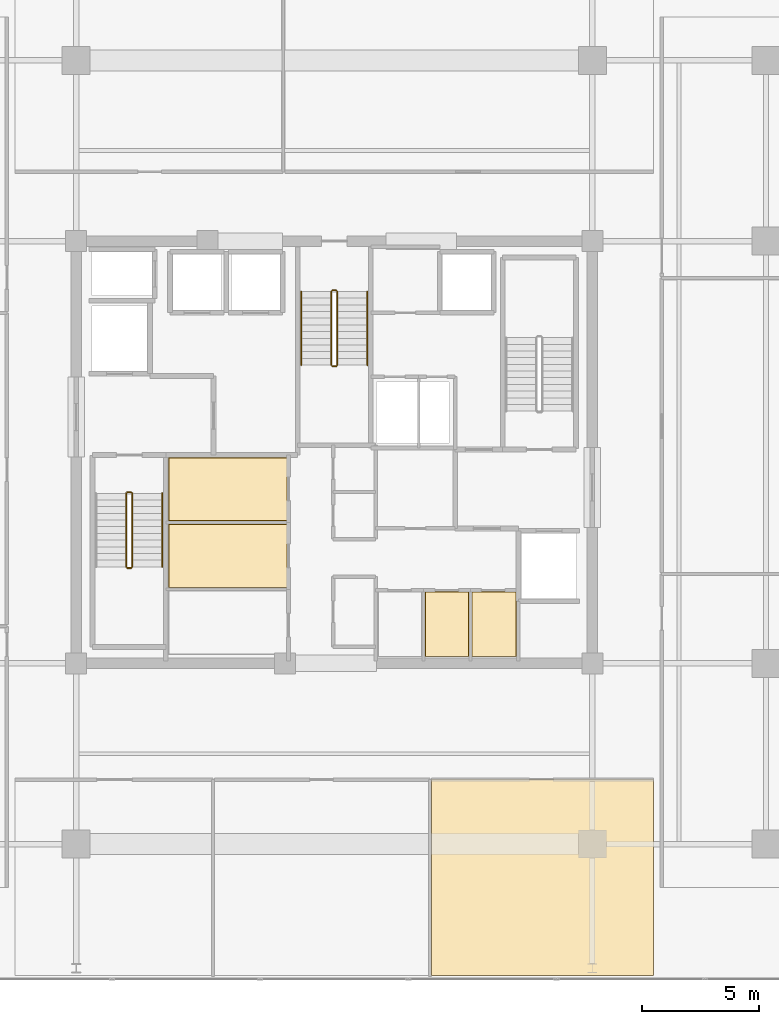
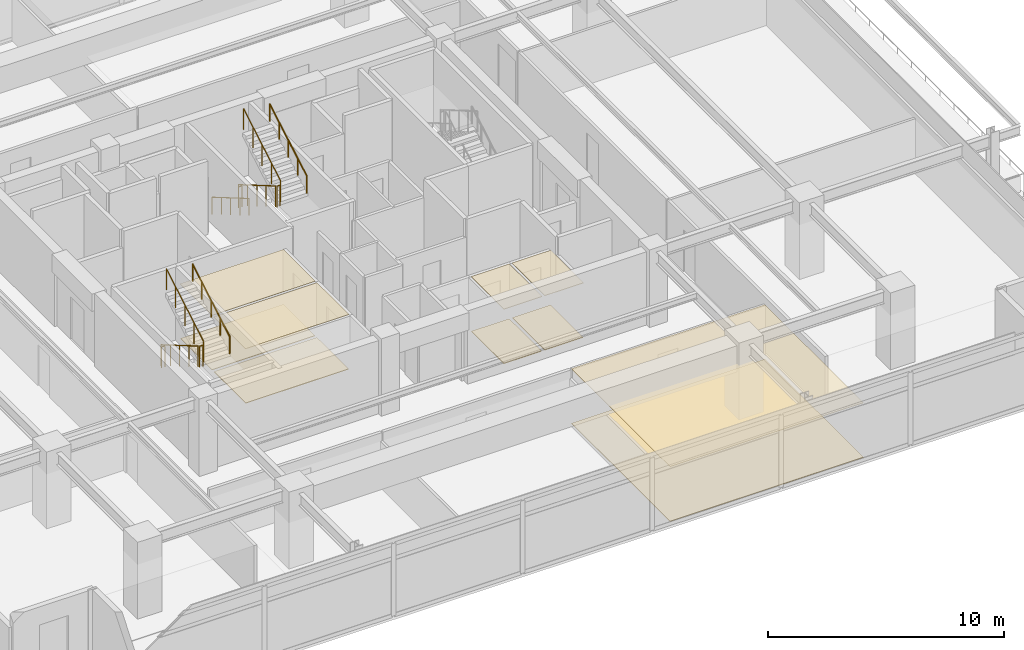
# One storey, part 22 of 24: 11 railings, 10 coverings.
"""IFC4 building model written with IfcOpenShell, lengths in metres."""

from ifc_helpers import new_model, si_unit, direction, frame, origin, origin_2d, place, context, subcontext, project, spatial, polyline, circle, outline, extrude, material, layer, layer_set, type_object, element, save


model = new_model("IFC4")

# Units and contexts
model_context = context("Model", 3, precision=1e-05, world=origin(), true_north=direction((0.0, 1.0)))
body_context = subcontext(model_context, "Body", "Model", "MODEL_VIEW")
ifc_project = project(units=[si_unit("LENGTHUNIT", "METRE"), si_unit("AREAUNIT", "SQUARE_METRE"), si_unit("VOLUMEUNIT", "CUBIC_METRE"), si_unit("PLANEANGLEUNIT", "RADIAN"), si_unit("MASSUNIT", "GRAM", prefix="KILO")], contexts=[model_context])

# Site, building, storey
site_placement = place(None, origin())
site = spatial("IfcSite", under=ifc_project, at=site_placement, CompositionType="ELEMENT")
building_placement = place(site_placement, origin())
building = spatial("IfcBuilding", under=site, at=building_placement, Name="Kovane Verandah Tower", CompositionType="ELEMENT")
storey_placement = place(building_placement, frame((0.0, 0.0, 271.199951171875)))
storey = spatial("IfcBuildingStorey", under=building, at=storey_placement, Name="L63", CompositionType="ELEMENT", Elevation=271.199951171875)

# Coverings
ifc_material_1 = material(Name="Perforated Acoustic Mineral-Fibre Ceiling Tile", Category="gypsum")
ifc_layer_1 = layer(ifc_material_1, 0.02490234375)
ifc_layer_set_1 = layer_set([ifc_layer_1], Name="Perforated Acoustic Mineral-Fibre Ceiling Tile")
covering_type_1 = type_object("IfcCoveringType", Name="CV-CEIL-25", PredefinedType="CEILING", material=ifc_layer_set_1)
covering_1_placement = place(storey_placement, frame((0.0, 0.0, 2.824951171875)))
element("IfcCovering", 1, at=covering_1_placement, inside=storey, type_object=covering_type_1, Name="L63 First Aid and Wellness Room Acoustic Ceiling", PredefinedType="CEILING", context=body_context, shape_type="SweptSolid", body=[
    extrude(outline(polyline([(32.93505859375, 21.72509765625), (37.9951171875, 21.72509765625), (37.9951171875, 24.43505859375), (32.93505859375, 24.43505859375), (32.93505859375, 21.72509765625)])), origin(), (0.0, 0.0, 1.0), 0.025146484375),
])
covering_2_placement = place(storey_placement, frame((0.0, 0.0, 2.824951171875)))
element("IfcCovering", 2, at=covering_2_placement, inside=storey, type_object=covering_type_1, Name="L63 Tea and Copy Hub Acoustic Ceiling", PredefinedType="CEILING", context=body_context, shape_type="SweptSolid", body=[
    extrude(outline(polyline([(32.93505859375, 24.56494140625), (37.9951171875, 24.56494140625), (37.9951171875, 27.264892578125), (32.93505859375, 27.264892578125), (32.93505859375, 24.56494140625)])), origin(), (0.0, 0.0, 1.0), 0.025146484375),
])
covering_3_placement = place(storey_placement, frame((0.0, 0.0, 2.824951171875)))
element("IfcCovering", 3, at=covering_3_placement, inside=storey, type_object=covering_type_1, Name="L63 First Aid Room Acoustic Ceiling", PredefinedType="CEILING", context=body_context, shape_type="SweptSolid", body=[
    extrude(outline(polyline([(43.864990234375, 18.784912109375), (45.735107421875, 18.784912109375), (45.735107421875, 21.56494140625), (43.864990234375, 21.56494140625), (43.864990234375, 18.784912109375)])), origin(), (0.0, 0.0, 1.0), 0.025146484375),
])
covering_4_placement = place(storey_placement, frame((0.0, 0.0, 2.824951171875)))
element("IfcCovering", 4, at=covering_4_placement, inside=storey, type_object=covering_type_1, Name="L63 Quiet Wellness Room Acoustic Ceiling", PredefinedType="CEILING", context=body_context, shape_type="SweptSolid", body=[
    extrude(outline(polyline([(45.864990234375, 18.784912109375), (47.764892578125, 18.784912109375), (47.764892578125, 21.56494140625), (45.864990234375, 21.56494140625), (45.864990234375, 18.784912109375)])), origin(), (0.0, 0.0, 1.0), 0.025146484375),
])
covering_5_placement = place(storey_placement, frame((0.0, 0.0, 2.824951171875)))
element("IfcCovering", 5, at=covering_5_placement, inside=storey, type_object=covering_type_1, Name="L63 Focus Studio S3 Acoustic Ceiling", PredefinedType="CEILING", context=body_context, shape_type="SweptSolid", body=[
    extrude(outline(polyline([(44.14990234375, 5.200439453125), (53.60009765625, 5.200439453125), (53.60009765625, 13.550048828125), (44.14990234375, 13.550048828125), (44.14990234375, 5.200439453125)])), origin(), (0.0, 0.0, 1.0), 0.025146484375),
])
ifc_material_2 = material(Name="Polished Terrazzo and Raised-Access Carpet Tile Finish", Category="concrete")
ifc_layer_2 = layer(ifc_material_2, 0.030029296875)
ifc_layer_set_2 = layer_set([ifc_layer_2], Name="Polished Terrazzo and Raised-Access Carpet Tile Finish")
covering_type_2 = type_object("IfcCoveringType", Name="CV-FLOR-30", PredefinedType="FLOORING", material=ifc_layer_set_2)
covering_6_placement = place(storey_placement, origin())
element("IfcCovering", 6, at=covering_6_placement, inside=storey, type_object=covering_type_2, Name="L63 First Aid and Wellness Room Floor Finish", PredefinedType="FLOORING", context=body_context, shape_type="SweptSolid", body=[
    extrude(outline(polyline([(32.949951171875, 21.739990234375), (37.97998046875, 21.739990234375), (37.97998046875, 24.419921875), (32.949951171875, 24.419921875), (32.949951171875, 21.739990234375)])), origin(), (0.0, 0.0, 1.0), 0.030029296875),
])
covering_7_placement = place(storey_placement, origin())
element("IfcCovering", 7, at=covering_7_placement, inside=storey, type_object=covering_type_2, Name="L63 Tea and Copy Hub Floor Finish", PredefinedType="FLOORING", context=body_context, shape_type="SweptSolid", body=[
    extrude(outline(polyline([(32.949951171875, 24.580078125), (37.97998046875, 24.580078125), (37.97998046875, 27.25), (32.949951171875, 27.25), (32.949951171875, 24.580078125)])), origin(), (0.0, 0.0, 1.0), 0.030029296875),
])
covering_8_placement = place(storey_placement, origin())
element("IfcCovering", 8, at=covering_8_placement, inside=storey, type_object=covering_type_2, Name="L63 First Aid Room Floor Finish", PredefinedType="FLOORING", context=body_context, shape_type="SweptSolid", body=[
    extrude(outline(polyline([(43.8798828125, 18.800048828125), (45.719970703125, 18.800048828125), (45.719970703125, 21.550048828125), (43.8798828125, 21.550048828125), (43.8798828125, 18.800048828125)])), origin(), (0.0, 0.0, 1.0), 0.030029296875),
])
covering_9_placement = place(storey_placement, origin())
element("IfcCovering", 9, at=covering_9_placement, inside=storey, type_object=covering_type_2, Name="L63 Quiet Wellness Room Floor Finish", PredefinedType="FLOORING", context=body_context, shape_type="SweptSolid", body=[
    extrude(outline(polyline([(45.8798828125, 18.800048828125), (47.75, 18.800048828125), (47.75, 21.550048828125), (45.8798828125, 21.550048828125), (45.8798828125, 18.800048828125)])), origin(), (0.0, 0.0, 1.0), 0.030029296875),
])
covering_10_placement = place(storey_placement, origin())
element("IfcCovering", 10, at=covering_10_placement, inside=storey, type_object=covering_type_2, Name="L63 Focus Studio S3 Floor Finish", PredefinedType="FLOORING", context=body_context, shape_type="SweptSolid", body=[
    extrude(outline(polyline([(44.14990234375, 5.200439453125), (53.60009765625, 5.200439453125), (53.60009765625, 13.550048828125), (44.14990234375, 13.550048828125), (44.14990234375, 5.200439453125)])), origin(), (0.0, 0.0, 1.0), 0.030029296875),
])

# Railings
ifc_material_3 = material(Name="Brushed Stainless Steel Handrail", Category="steel")
railing_type_1 = type_object("IfcRailingType", Name="RL-HAND-920", PredefinedType="HANDRAIL", material=ifc_material_3)
railing_1_placement = place(storey_placement, frame((32.669921875, 22.614990234375, 2.166748046875)))
element("IfcRailing", 11, at=railing_1_placement, inside=storey, type_object=railing_type_1, Name="L63 ST-01 stair handrail 2", PredefinedType="HANDRAIL", context=body_context, shape_type="SweptSolid", body=[
    extrude(circle(Radius=0.02392578125, at=origin_2d()), frame((0.0, 0.0, 0.8759765625), z_axis=(0.0, 0.863239559939, 0.504794475164), x_axis=(-1.0, 0.0, 0.0)), (0.0, 0.0, 1.0), 3.631591796875),
    extrude(circle(Radius=0.02099609375, at=origin_2d()), origin(), (0.0, 0.0, 1.0), 0.851806640625),
    extrude(circle(Radius=0.02099609375, at=origin_2d()), frame((0.0, 0.78369140625, 0.458251953125)), (0.0, 0.0, 1.0), 0.851806640625),
    extrude(circle(Radius=0.02099609375, at=origin_2d()), frame((0.0, 1.5673828125, 0.91650390625)), (0.0, 0.0, 1.0), 0.851806640625),
    extrude(circle(Radius=0.02099609375, at=origin_2d()), frame((0.0, 2.351318359375, 1.375)), (0.0, 0.0, 1.0), 0.851806640625),
    extrude(circle(Radius=0.02099609375, at=origin_2d()), frame((0.0, 3.135009765625, 1.833251953125)), (0.0, 0.0, 1.0), 0.851806640625),
])
railing_2_placement = place(storey_placement, frame((38.590087890625, 34.35009765625, 0.166748046875)))
element("IfcRailing", 12, at=railing_2_placement, inside=storey, type_object=railing_type_1, Name="L63 ST-03 stair handrail 1", PredefinedType="HANDRAIL", context=body_context, shape_type="SweptSolid", body=[
    extrude(circle(Radius=0.02392578125, at=origin_2d()), frame((0.0, 0.0, 0.8759765625), z_axis=(0.0, -0.863239559939, 0.504794475164), x_axis=(1.0, 0.0, 0.0)), (0.0, 0.0, 1.0), 3.631591796875),
    extrude(circle(Radius=0.02099609375, at=origin_2d()), origin(), (0.0, 0.0, 1.0), 0.851806640625),
    extrude(circle(Radius=0.02099609375, at=origin_2d()), frame((0.0, -0.78369140625, 0.458251953125)), (0.0, 0.0, 1.0), 0.851806640625),
    extrude(circle(Radius=0.02099609375, at=origin_2d()), frame((0.0, -1.5673828125, 0.91650390625)), (0.0, 0.0, 1.0), 0.851806640625),
    extrude(circle(Radius=0.02099609375, at=origin_2d()), frame((0.0, -2.351318359375, 1.375)), (0.0, 0.0, 1.0), 0.851806640625),
    extrude(circle(Radius=0.02099609375, at=origin_2d()), frame((0.0, -3.135009765625, 1.833251953125)), (0.0, 0.0, 1.0), 0.851806640625),
])
railing_3_placement = place(storey_placement, frame((41.409912109375, 31.215087890625, 2.166748046875)))
element("IfcRailing", 13, at=railing_3_placement, inside=storey, type_object=railing_type_1, Name="L63 ST-03 stair handrail 2", PredefinedType="HANDRAIL", context=body_context, shape_type="SweptSolid", body=[
    extrude(circle(Radius=0.02392578125, at=origin_2d()), frame((0.0, 0.0, 0.8759765625), z_axis=(0.0, 0.863239559939, 0.504794475164), x_axis=(-1.0, 0.0, 0.0)), (0.0, 0.0, 1.0), 3.631591796875),
    extrude(circle(Radius=0.02099609375, at=origin_2d()), origin(), (0.0, 0.0, 1.0), 0.851806640625),
    extrude(circle(Radius=0.02099609375, at=origin_2d()), frame((0.0, 0.78369140625, 0.458251953125)), (0.0, 0.0, 1.0), 0.851806640625),
    extrude(circle(Radius=0.02099609375, at=origin_2d()), frame((0.0, 1.5673828125, 0.91650390625)), (0.0, 0.0, 1.0), 0.851806640625),
    extrude(circle(Radius=0.02099609375, at=origin_2d()), frame((0.0, 2.351318359375, 1.375)), (0.0, 0.0, 1.0), 0.851806640625),
    extrude(circle(Radius=0.02099609375, at=origin_2d()), frame((0.0, 3.135009765625, 1.833251953125)), (0.0, 0.0, 1.0), 0.851806640625),
])
ifc_material_4 = material(Name="Painted Steel Stairwell Guardrail", Category="steel")
railing_type_2 = type_object("IfcRailingType", Name="RL-STGUARD-1120", PredefinedType="GUARDRAIL", material=ifc_material_4)
railing_4_placement = place(storey_placement, frame((31.1298828125, 25.75, 0.166748046875)))
element("IfcRailing", 14, at=railing_4_placement, inside=storey, type_object=railing_type_2, Name="L63 ST-01 stair guard 1", PredefinedType="GUARDRAIL", context=body_context, shape_type="SweptSolid", body=[
    extrude(circle(Radius=0.02392578125, at=origin_2d()), frame((0.0, 0.0, 1.076171875), z_axis=(0.0, -0.863239559939, 0.504794475164), x_axis=(1.0, 0.0, 0.0)), (0.0, 0.0, 1.0), 3.631591796875),
    extrude(circle(Radius=0.02099609375, at=origin_2d()), origin(), (0.0, 0.0, 1.0), 1.052001953125),
    extrude(circle(Radius=0.02099609375, at=origin_2d()), frame((0.0, -0.78369140625, 0.458251953125)), (0.0, 0.0, 1.0), 1.052001953125),
    extrude(circle(Radius=0.02099609375, at=origin_2d()), frame((0.0, -1.5673828125, 0.91650390625)), (0.0, 0.0, 1.0), 1.052001953125),
    extrude(circle(Radius=0.02099609375, at=origin_2d()), frame((0.0, -2.351318359375, 1.375)), (0.0, 0.0, 1.0), 1.052001953125),
    extrude(circle(Radius=0.02099609375, at=origin_2d()), frame((0.0, -3.135009765625, 1.833251953125)), (0.0, 0.0, 1.0), 1.052001953125),
])
railing_5_placement = place(storey_placement, frame((31.179931640625, 22.56494140625, 2.0)))
element("IfcRailing", 15, at=railing_5_placement, inside=storey, type_object=railing_type_2, Name="L63 ST-01 stair guard 2", PredefinedType="GUARDRAIL", context=body_context, shape_type="SweptSolid", body=[
    extrude(circle(Radius=0.02392578125, at=origin_2d()), frame((0.0, 0.0, 1.076171875), z_axis=(1.0, 0.0, 0.0), x_axis=(0.0, 1.0, 0.0)), (0.0, 0.0, 1.0), 0.16015625),
    extrude(circle(Radius=0.02099609375, at=origin_2d()), origin(), (0.0, 0.0, 1.0), 1.052001953125),
    extrude(circle(Radius=0.02099609375, at=origin_2d()), frame((0.16015625, 0.0, 0.0)), (0.0, 0.0, 1.0), 1.052001953125),
])
railing_6_placement = place(storey_placement, frame((31.389892578125, 22.614990234375, 2.166748046875)))
element("IfcRailing", 16, at=railing_6_placement, inside=storey, type_object=railing_type_2, Name="L63 ST-01 stair guard 3", PredefinedType="GUARDRAIL", context=body_context, shape_type="SweptSolid", body=[
    extrude(circle(Radius=0.02392578125, at=origin_2d()), frame((0.0, 0.0, 1.076171875), z_axis=(0.0, 0.863239559939, 0.504794475164), x_axis=(-1.0, 0.0, 0.0)), (0.0, 0.0, 1.0), 3.631591796875),
    extrude(circle(Radius=0.02099609375, at=origin_2d()), origin(), (0.0, 0.0, 1.0), 1.052001953125),
    extrude(circle(Radius=0.02099609375, at=origin_2d()), frame((0.0, 0.78369140625, 0.458251953125)), (0.0, 0.0, 1.0), 1.052001953125),
    extrude(circle(Radius=0.02099609375, at=origin_2d()), frame((0.0, 1.5673828125, 0.91650390625)), (0.0, 0.0, 1.0), 1.052001953125),
    extrude(circle(Radius=0.02099609375, at=origin_2d()), frame((0.0, 2.351318359375, 1.375)), (0.0, 0.0, 1.0), 1.052001953125),
    extrude(circle(Radius=0.02099609375, at=origin_2d()), frame((0.0, 3.135009765625, 1.833251953125)), (0.0, 0.0, 1.0), 1.052001953125),
])
railing_7_placement = place(storey_placement, frame((31.179931640625, 25.800048828125, 0.0)))
element("IfcRailing", 17, at=railing_7_placement, inside=storey, type_object=railing_type_2, Name="L63 ST-01 stair guard 4", PredefinedType="GUARDRAIL", context=body_context, shape_type="SweptSolid", body=[
    extrude(circle(Radius=0.02392578125, at=origin_2d()), frame((0.0, 0.0, 1.076171875), z_axis=(1.0, 0.0, 0.0), x_axis=(0.0, 1.0, 0.0)), (0.0, 0.0, 1.0), 0.16015625),
    extrude(circle(Radius=0.02099609375, at=origin_2d()), origin(), (0.0, 0.0, 1.0), 1.052001953125),
    extrude(circle(Radius=0.02099609375, at=origin_2d()), frame((0.16015625, 0.0, 0.0)), (0.0, 0.0, 1.0), 1.052001953125),
])
railing_8_placement = place(storey_placement, frame((39.8701171875, 34.35009765625, 0.166748046875)))
element("IfcRailing", 18, at=railing_8_placement, inside=storey, type_object=railing_type_2, Name="L63 ST-03 stair guard 1", PredefinedType="GUARDRAIL", context=body_context, shape_type="SweptSolid", body=[
    extrude(circle(Radius=0.02392578125, at=origin_2d()), frame((0.0, 0.0, 1.076171875), z_axis=(0.0, -0.863239559939, 0.504794475164), x_axis=(1.0, 0.0, 0.0)), (0.0, 0.0, 1.0), 3.631591796875),
    extrude(circle(Radius=0.02099609375, at=origin_2d()), origin(), (0.0, 0.0, 1.0), 1.052001953125),
    extrude(circle(Radius=0.02099609375, at=origin_2d()), frame((0.0, -0.78369140625, 0.458251953125)), (0.0, 0.0, 1.0), 1.052001953125),
    extrude(circle(Radius=0.02099609375, at=origin_2d()), frame((0.0, -1.5673828125, 0.91650390625)), (0.0, 0.0, 1.0), 1.052001953125),
    extrude(circle(Radius=0.02099609375, at=origin_2d()), frame((0.0, -2.351318359375, 1.375)), (0.0, 0.0, 1.0), 1.052001953125),
    extrude(circle(Radius=0.02099609375, at=origin_2d()), frame((0.0, -3.135009765625, 1.833251953125)), (0.0, 0.0, 1.0), 1.052001953125),
])
railing_9_placement = place(storey_placement, frame((39.919921875, 31.1650390625, 2.0)))
element("IfcRailing", 19, at=railing_9_placement, inside=storey, type_object=railing_type_2, Name="L63 ST-03 stair guard 2", PredefinedType="GUARDRAIL", context=body_context, shape_type="SweptSolid", body=[
    extrude(circle(Radius=0.02392578125, at=origin_2d()), frame((0.0, 0.0, 1.076171875), z_axis=(1.0, 0.0, 0.0), x_axis=(0.0, 1.0, 0.0)), (0.0, 0.0, 1.0), 0.16015625),
    extrude(circle(Radius=0.02099609375, at=origin_2d()), origin(), (0.0, 0.0, 1.0), 1.052001953125),
    extrude(circle(Radius=0.02099609375, at=origin_2d()), frame((0.16015625, 0.0, 0.0)), (0.0, 0.0, 1.0), 1.052001953125),
])
railing_10_placement = place(storey_placement, frame((40.1298828125, 31.215087890625, 2.166748046875)))
element("IfcRailing", 20, at=railing_10_placement, inside=storey, type_object=railing_type_2, Name="L63 ST-03 stair guard 3", PredefinedType="GUARDRAIL", context=body_context, shape_type="SweptSolid", body=[
    extrude(circle(Radius=0.02392578125, at=origin_2d()), frame((0.0, 0.0, 1.076171875), z_axis=(0.0, 0.863239559939, 0.504794475164), x_axis=(-1.0, 0.0, 0.0)), (0.0, 0.0, 1.0), 3.631591796875),
    extrude(circle(Radius=0.02099609375, at=origin_2d()), origin(), (0.0, 0.0, 1.0), 1.052001953125),
    extrude(circle(Radius=0.02099609375, at=origin_2d()), frame((0.0, 0.78369140625, 0.458251953125)), (0.0, 0.0, 1.0), 1.052001953125),
    extrude(circle(Radius=0.02099609375, at=origin_2d()), frame((0.0, 1.5673828125, 0.91650390625)), (0.0, 0.0, 1.0), 1.052001953125),
    extrude(circle(Radius=0.02099609375, at=origin_2d()), frame((0.0, 2.351318359375, 1.375)), (0.0, 0.0, 1.0), 1.052001953125),
    extrude(circle(Radius=0.02099609375, at=origin_2d()), frame((0.0, 3.135009765625, 1.833251953125)), (0.0, 0.0, 1.0), 1.052001953125),
])
railing_11_placement = place(storey_placement, frame((39.919921875, 34.39990234375, 0.0)))
element("IfcRailing", 21, at=railing_11_placement, inside=storey, type_object=railing_type_2, Name="L63 ST-03 stair guard 4", PredefinedType="GUARDRAIL", context=body_context, shape_type="SweptSolid", body=[
    extrude(circle(Radius=0.02392578125, at=origin_2d()), frame((0.0, 0.0, 1.076171875), z_axis=(1.0, 0.0, 0.0), x_axis=(0.0, 1.0, 0.0)), (0.0, 0.0, 1.0), 0.16015625),
    extrude(circle(Radius=0.02099609375, at=origin_2d()), origin(), (0.0, 0.0, 1.0), 1.052001953125),
    extrude(circle(Radius=0.02099609375, at=origin_2d()), frame((0.16015625, 0.0, 0.0)), (0.0, 0.0, 1.0), 1.052001953125),
])

save(model, "model.ifc")
